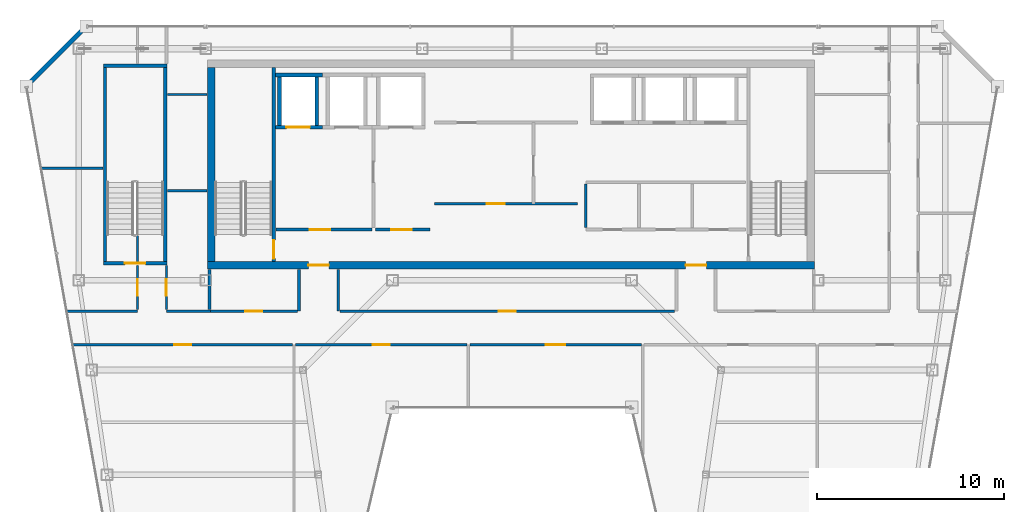
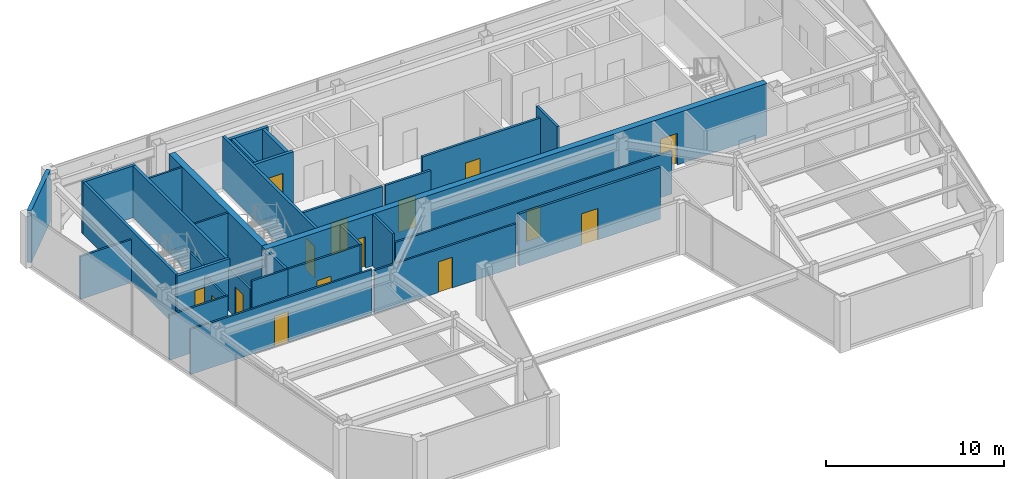
# One storey, part 27 of 32: 32 walls, 15 doors, 15 openings.
"""IFC4 building model written with IfcOpenShell, lengths in metres."""

from ifc_helpers import new_model, si_unit, direction, frame, frame_2d, origin, place, context, subcontext, project, spatial, rectangle, extrude, material, layer, layer_set, type_object, element, fill, save


model = new_model("IFC4")

# Units and contexts
model_context = context("Model", 3, precision=1e-05, world=origin(), true_north=direction((0.0, 1.0)))
body_context = subcontext(model_context, "Body", "Model", "MODEL_VIEW")
ifc_project = project(units=[si_unit("LENGTHUNIT", "METRE"), si_unit("AREAUNIT", "SQUARE_METRE"), si_unit("VOLUMEUNIT", "CUBIC_METRE"), si_unit("PLANEANGLEUNIT", "RADIAN"), si_unit("MASSUNIT", "GRAM", prefix="KILO")], contexts=[model_context])

# Site, building, storey
site_placement = place(None, origin())
site = spatial("IfcSite", under=ifc_project, at=site_placement, CompositionType="ELEMENT")
building_placement = place(site_placement, origin())
building = spatial("IfcBuilding", under=site, at=building_placement, Name="Saevonmaru Cultural Tower", CompositionType="ELEMENT")
storey_placement = place(building_placement, frame((0.0, 0.0, 268.60009765625)))
storey = spatial("IfcBuildingStorey", under=building, at=storey_placement, Name="L63", CompositionType="ELEMENT", Elevation=268.60009765625)

# Wall, openings, doors
ifc_material_1 = material(Name="Concrete C50/60", Category="concrete")
ifc_layer_1 = layer(ifc_material_1, 0.39990234375, Name="Concrete C50/60")
ifc_layer_set_1 = layer_set([ifc_layer_1], Name="Concrete C50/60")
wall_type_1 = type_object("IfcWallType", Name="WL-CORE-400", PredefinedType="SHEAR", material=ifc_layer_set_1)
wall_1_placement = place(storey_placement, frame((13.699951171875, 43.199951171875, 0.0), z_axis=(0.0, 0.0, 1.0), x_axis=(1.0, 0.0, 0.0)))
wall_1 = element("IfcWall", 1, at=wall_1_placement, inside=storey, type_object=wall_type_1, Name="L63 Tower RC core shear wall S", PredefinedType="SHEAR", context=body_context, shape_type="SweptSolid", body=[
    extrude(rectangle(XDim=32.5, YDim=0.39990234375, at=frame_2d((16.25, 0.0))), origin(), (0.0, 0.0, 1.0), 3.5498046875),
])
opening_1_placement = place(wall_1_placement, frame((5.39990234375, 0.0, 0.0)))
opening_1 = element("IfcOpeningElement", 2, at=opening_1_placement, cuts=wall_1, Name="Opening FD-2", PredefinedType="OPENING", context=body_context, shape_type="SweptSolid", body=[
    extrude(rectangle(XDim=1.10009765625, YDim=2.14990234375, at=frame_2d((0.550048828125, 1.074951171875))), frame((0.0, 0.2099609375, 0.0), z_axis=(0.0, -1.0, 0.0), x_axis=(1.0, 0.0, 0.0)), (0.0, 0.0, 1.0), 0.419921875),
])
opening_2_placement = place(wall_1_placement, frame((25.60009765625, 0.0, 0.0)))
opening_2 = element("IfcOpeningElement", 3, at=opening_2_placement, cuts=wall_1, Name="Opening FD-2", PredefinedType="OPENING", context=body_context, shape_type="SweptSolid", body=[
    extrude(rectangle(XDim=1.10009765625, YDim=2.14990234375, at=frame_2d((0.550048828125, 1.074951171875))), frame((0.0, 0.2099609375, 0.0), z_axis=(0.0, -1.0, 0.0), x_axis=(1.0, 0.0, 0.0)), (0.0, 0.0, 1.0), 0.419921875),
])
ifc_material_2 = material(Name="Satin Bronze Anodised Aluminium", Category="aluminium")
door_type_1 = type_object("IfcDoorType", Name="DR-FD60-1100", OperationType="SINGLE_SWING_LEFT", PredefinedType="DOOR", material=ifc_material_2)
door_1_placement = place(opening_1_placement, origin())
door_1 = element("IfcDoor", 4, at=door_1_placement, inside=storey, type_object=door_type_1, Name="L63 Core West Lobby Fire Door", OperationType="SINGLE_SWING_LEFT", OverallHeight=2.14990234375, OverallWidth=1.10009765625, PredefinedType="DOOR", context=body_context, shape_type="SweptSolid", body=[
    extrude(rectangle(XDim=1.10009765625, YDim=2.14990234375, at=frame_2d((0.550048828125, 1.074951171875))), frame((0.0, 0.02490234375, 0.0), z_axis=(0.0, -1.0, 0.0), x_axis=(1.0, 0.0, 0.0)), (0.0, 0.0, 1.0), 0.050048828125),
])
fill(opening_1, door_1)
door_2_placement = place(opening_2_placement, origin())
door_2 = element("IfcDoor", 5, at=door_2_placement, inside=storey, type_object=door_type_1, Name="L63 Core East Lobby Fire Door", OperationType="SINGLE_SWING_LEFT", OverallHeight=2.14990234375, OverallWidth=1.10009765625, PredefinedType="DOOR", context=body_context, shape_type="SweptSolid", body=[
    extrude(rectangle(XDim=1.10009765625, YDim=2.14990234375, at=frame_2d((0.550048828125, 1.074951171875))), frame((0.0, 0.02490234375, 0.0), z_axis=(0.0, -1.0, 0.0), x_axis=(1.0, 0.0, 0.0)), (0.0, 0.0, 1.0), 0.050048828125),
])
fill(opening_2, door_2)

# Wall
wall_2_placement = place(storey_placement, frame((13.89990234375, 43.39990234375, 0.0), z_axis=(0.0, 0.0, 1.0), x_axis=(0.0, 1.0, 0.0)))
element("IfcWall", 6, at=wall_2_placement, inside=storey, type_object=wall_type_1, Name="L63 Tower RC core shear wall W", PredefinedType="SHEAR", context=body_context, shape_type="SweptSolid", body=[
    extrude(rectangle(XDim=10.400146484375, YDim=0.39990234375, at=frame_2d((5.2001953125, 0.0))), origin(), (0.0, 0.0, 1.0), 3.5498046875),
])

# Wall, opening, door
ifc_material_3 = material(Name="Gypsum Fireboard Partition", Category="gypsum")
ifc_layer_2 = layer(ifc_material_3, 0.14990234375, Name="Gypsum Fireboard Partition")
ifc_layer_set_2 = layer_set([ifc_layer_2], Name="Gypsum Fireboard Partition")
wall_type_2 = type_object("IfcWallType", Name="WL-CORE-PART-150", PredefinedType="PARTITIONING", material=ifc_layer_set_2)
wall_3_placement = place(storey_placement, frame((17.360107421875, 45.1201171875, 0.0), z_axis=(0.0, 0.0, 1.0), x_axis=(1.0, 0.0, 0.0)))
wall_3 = element("IfcWall", 7, at=wall_3_placement, inside=storey, type_object=wall_type_2, Name="L63 Firefighting Lift Lobby South Wall", PredefinedType="PARTITIONING", context=body_context, shape_type="SweptSolid", body=[
    extrude(rectangle(XDim=5.139892578125, YDim=0.14990234375, at=frame_2d((2.56982421875, 0.0))), origin(), (0.0, 0.0, 1.0), 3.5498046875),
])
opening_3_placement = place(wall_3_placement, frame((1.800048828125, 0.0, 0.0)))
opening_3 = element("IfcOpeningElement", 8, at=opening_3_placement, cuts=wall_3, Name="Opening FD-2", PredefinedType="OPENING", context=body_context, shape_type="SweptSolid", body=[
    extrude(rectangle(XDim=1.10009765625, YDim=2.14990234375, at=frame_2d((0.550048828125, 1.074951171875))), frame((0.0, 0.0849609375, 0.0), z_axis=(0.0, -1.0, 0.0), x_axis=(1.0, 0.0, 0.0)), (0.0, 0.0, 1.0), 0.169921875),
])
door_3_placement = place(opening_3_placement, origin())
door_3 = element("IfcDoor", 9, at=door_3_placement, inside=storey, type_object=door_type_1, Name="L63 Firefighting Lift Lobby South Door", OperationType="SINGLE_SWING_LEFT", OverallHeight=2.14990234375, OverallWidth=1.10009765625, PredefinedType="DOOR", context=body_context, shape_type="SweptSolid", body=[
    extrude(rectangle(XDim=1.10009765625, YDim=2.14990234375, at=frame_2d((0.550048828125, 1.074951171875))), frame((0.0, 0.02490234375, 0.0), z_axis=(0.0, -1.0, 0.0), x_axis=(1.0, 0.0, 0.0)), (0.0, 0.0, 1.0), 0.050048828125),
])
fill(opening_3, door_3)

wall_4_placement = place(storey_placement, frame((22.679931640625, 45.1201171875, 0.0), z_axis=(0.0, 0.0, 1.0), x_axis=(1.0, 0.0, 0.0)))
wall_4 = element("IfcWall", 10, at=wall_4_placement, inside=storey, type_object=wall_type_2, Name="L63 Service Lift Vestibule Wall", PredefinedType="PARTITIONING", context=body_context, shape_type="SweptSolid", body=[
    extrude(rectangle(XDim=2.920166015625, YDim=0.14990234375, at=frame_2d((1.4599609375, 0.0))), origin(), (0.0, 0.0, 1.0), 3.5498046875),
])
opening_4_placement = place(wall_4_placement, frame((0.85009765625, 0.0, 0.0)))
opening_4 = element("IfcOpeningElement", 11, at=opening_4_placement, cuts=wall_4, Name="Opening FD-2", PredefinedType="OPENING", context=body_context, shape_type="SweptSolid", body=[
    extrude(rectangle(XDim=1.10009765625, YDim=2.14990234375, at=frame_2d((0.550048828125, 1.074951171875))), frame((0.0, 0.0849609375, 0.0), z_axis=(0.0, -1.0, 0.0), x_axis=(1.0, 0.0, 0.0)), (0.0, 0.0, 1.0), 0.169921875),
])
door_4_placement = place(opening_4_placement, origin())
door_4 = element("IfcDoor", 12, at=door_4_placement, inside=storey, type_object=door_type_1, Name="L63 Service Lift Vestibule Door", OperationType="SINGLE_SWING_LEFT", OverallHeight=2.14990234375, OverallWidth=1.10009765625, PredefinedType="DOOR", context=body_context, shape_type="SweptSolid", body=[
    extrude(rectangle(XDim=1.10009765625, YDim=2.14990234375, at=frame_2d((0.550048828125, 1.074951171875))), frame((0.0, 0.02490234375, 0.0), z_axis=(0.0, -1.0, 0.0), x_axis=(1.0, 0.0, 0.0)), (0.0, 0.0, 1.0), 0.050048828125),
])
fill(opening_4, door_4)

# Wall
wall_5_placement = place(storey_placement, frame((33.949951171875, 45.219970703125, 0.0), z_axis=(0.0, 0.0, 1.0), x_axis=(0.0, 1.0, 0.0)))
element("IfcWall", 13, at=wall_5_placement, inside=storey, type_object=wall_type_2, Name="L63 Core Utility West Wall", PredefinedType="PARTITIONING", context=body_context, shape_type="SweptSolid", body=[
    extrude(rectangle(XDim=2.330078125, YDim=0.14990234375, at=frame_2d((1.1650390625, 0.0))), origin(), (0.0, 0.0, 1.0), 3.5498046875),
])

# Wall, opening, door
wall_6_placement = place(storey_placement, frame((25.85009765625, 46.5, 0.0), z_axis=(0.0, 0.0, 1.0), x_axis=(1.0, 0.0, 0.0)))
wall_6 = element("IfcWall", 14, at=wall_6_placement, inside=storey, type_object=wall_type_2, Name="L63 Reclaimed Mid-Shaft Wall", PredefinedType="PARTITIONING", context=body_context, shape_type="SweptSolid", body=[
    extrude(rectangle(XDim=7.64990234375, YDim=0.14990234375, at=frame_2d((3.824951171875, 0.0))), origin(), (0.0, 0.0, 1.0), 3.5498046875),
])
opening_5_placement = place(wall_6_placement, frame((2.800048828125, 0.0, 0.0)))
opening_5 = element("IfcOpeningElement", 15, at=opening_5_placement, cuts=wall_6, Name="Opening FD-4", PredefinedType="OPENING", context=body_context, shape_type="SweptSolid", body=[
    extrude(rectangle(XDim=0.949951171875, YDim=2.14990234375, at=frame_2d((0.47509765625, 1.074951171875))), frame((0.0, 0.0849609375, 0.0), z_axis=(0.0, -1.0, 0.0), x_axis=(1.0, 0.0, 0.0)), (0.0, 0.0, 1.0), 0.169921875),
])
door_type_2 = type_object("IfcDoorType", Name="DR-FD60-950", OperationType="SINGLE_SWING_LEFT", PredefinedType="DOOR", material=ifc_material_2)
door_5_placement = place(opening_5_placement, origin())
door_5 = element("IfcDoor", 16, at=door_5_placement, inside=storey, type_object=door_type_2, Name="L63 Reclaimed Manuscript Storage Door", OperationType="SINGLE_SWING_LEFT", OverallHeight=2.14990234375, OverallWidth=0.949951171875, PredefinedType="DOOR", context=body_context, shape_type="SweptSolid", body=[
    extrude(rectangle(XDim=0.949951171875, YDim=2.14990234375, at=frame_2d((0.47509765625, 1.074951171875))), frame((0.0, 0.02490234375, 0.0), z_axis=(0.0, -1.0, 0.0), x_axis=(1.0, 0.0, 0.0)), (0.0, 0.0, 1.0), 0.050048828125),
])
fill(opening_5, door_5)

# Walls
ifc_material_4 = material(Name="Granite-Clad Precast Concrete C40/50", Category="masonry")
ifc_layer_3 = layer(ifc_material_4, 0.260009765625, Name="Granite-Clad Precast Concrete C40/50")
ifc_layer_set_3 = layer_set([ifc_layer_3], Name="Granite-Clad Precast Concrete C40/50")
wall_type_3 = type_object("IfcWallType", Name="WL-EXT-SPANDREL-260", PredefinedType="STANDARD", material=ifc_layer_set_3)
wall_7_placement = place(storey_placement, frame((7.0869140625, 55.886962890625, 0.0), z_axis=(0.0, 0.0, 1.0), x_axis=(-0.707106781187, -0.707106781187, 0.0)))
element("IfcWall", 17, at=wall_7_placement, inside=storey, type_object=wall_type_3, Name="L63 Chamfer Corner Spandrel Wall E11", PredefinedType="STANDARD", context=body_context, shape_type="SweptSolid", body=[
    extrude(rectangle(XDim=4.205810546875, YDim=0.260009765625, at=frame_2d((2.10302734375, 0.0))), origin(), (0.0, 0.0, 1.0), 3.5498046875),
])
ifc_layer_4 = layer(ifc_material_3, 0.14990234375, Name="Gypsum Fireboard Partition")
ifc_layer_set_4 = layer_set([ifc_layer_4], Name="Gypsum Fireboard Partition")
wall_type_4 = type_object("IfcWallType", Name="WL-PART-FIRE-150", PredefinedType="PARTITIONING", material=ifc_layer_set_4)
wall_8_placement = place(storey_placement, frame((13.800048828125, 40.830078125, 0.0), z_axis=(0.0, 0.0, 1.0), x_axis=(0.0, 1.0, 0.0)))
element("IfcWall", 18, at=wall_8_placement, inside=storey, type_object=wall_type_4, Name="L63 Core Portal Side Wall W0", PredefinedType="PARTITIONING", context=body_context, shape_type="SweptSolid", body=[
    extrude(rectangle(XDim=2.14990234375, YDim=0.14990234375, at=frame_2d((1.074951171875, 0.0))), origin(), (0.0, 0.0, 1.0), 3.5498046875),
])
for number, where, z_axis, x_axis, name in (
    (19, (18.60009765625, 40.75, 0.0), (0.0, 0.0, 1.0), (0.0, 1.0, 0.0), "L63 Core Portal Side Wall W1"),
    (20, (20.699951171875, 40.75, 0.0), (0.0, 0.0, 1.0), (0.0, 1.0, 0.0), "L63 Core Portal Side Wall W2"),
):
    element("IfcWall", number, at=place(storey_placement, frame(where, z_axis=z_axis, x_axis=x_axis)), inside=storey, type_object=wall_type_4, Name=name, PredefinedType="PARTITIONING", context=body_context, shape_type="SweptSolid", body=[
        extrude(rectangle(XDim=2.22998046875, YDim=0.14990234375, at=frame_2d((1.114990234375, 0.0))), origin(), (0.0, 0.0, 1.0), 3.5498046875),
    ])

# Wall, opening, door
wall_9_placement = place(storey_placement, frame((27.757568359375, 38.949951171875, 0.0), z_axis=(0.0, 0.0, 1.0), x_axis=(1.0, 0.0, 0.0)))
wall_9 = element("IfcWall", 21, at=wall_9_placement, inside=storey, type_object=wall_type_4, Name="L63 Sculpture Study Gallery Corridor Wall", PredefinedType="PARTITIONING", context=body_context, shape_type="SweptSolid", body=[
    extrude(rectangle(XDim=9.162353515625, YDim=0.14990234375, at=frame_2d((4.5810546875, 0.0))), origin(), (0.0, 0.0, 1.0), 3.5498046875),
])
opening_6_placement = place(wall_9_placement, frame((4.055908203125, 0.0, 0.0)))
opening_6 = element("IfcOpeningElement", 22, at=opening_6_placement, cuts=wall_9, Name="Opening ID-1", PredefinedType="OPENING", context=body_context, shape_type="SweptSolid", body=[
    extrude(rectangle(XDim=1.050048828125, YDim=2.14990234375, at=frame_2d((0.52490234375, 1.074951171875))), frame((0.0, 0.0849609375, 0.0), z_axis=(0.0, -1.0, 0.0), x_axis=(1.0, 0.0, 0.0)), (0.0, 0.0, 1.0), 0.169921875),
])
door_type_3 = type_object("IfcDoorType", Name="DR-INT-1050", OperationType="SINGLE_SWING_LEFT", PredefinedType="DOOR", material=ifc_material_2)
door_6_placement = place(opening_6_placement, origin())
door_6 = element("IfcDoor", 23, at=door_6_placement, inside=storey, type_object=door_type_3, Name="L63 Sculpture Study Gallery Door", OperationType="SINGLE_SWING_LEFT", OverallHeight=2.14990234375, OverallWidth=1.050048828125, PredefinedType="DOOR", context=body_context, shape_type="SweptSolid", body=[
    extrude(rectangle(XDim=1.050048828125, YDim=2.14990234375, at=frame_2d((0.52490234375, 1.074951171875))), frame((0.0, 0.02490234375, 0.0), z_axis=(0.0, -1.0, 0.0), x_axis=(1.0, 0.0, 0.0)), (0.0, 0.0, 1.0), 0.050048828125),
])
fill(opening_6, door_6)

# Walls
ifc_layer_5 = layer(ifc_material_3, 0.1201171875, Name="Gypsum Fireboard Partition")
ifc_layer_set_5 = layer_set([ifc_layer_5], Name="Gypsum Fireboard Partition")
wall_type_5 = type_object("IfcWallType", Name="WL-PART-GYP-120", PredefinedType="PARTITIONING", material=ifc_layer_set_5)
wall_10_placement = place(storey_placement, frame((6.161376953125, 40.75, 0.0), z_axis=(0.0, 0.0, 1.0), x_axis=(1.0, 0.0, 0.0)))
element("IfcWall", 24, at=wall_10_placement, inside=storey, type_object=wall_type_5, Name="L63 NW Wing South Wall", PredefinedType="PARTITIONING", context=body_context, shape_type="SweptSolid", body=[
    extrude(rectangle(XDim=3.78857421875, YDim=0.1201171875, at=frame_2d((1.894287109375, 0.0))), origin(), (0.0, 0.0, 1.0), 3.0849609375),
])
wall_11_placement = place(storey_placement, frame((11.5, 40.75, 0.0), z_axis=(0.0, 0.0, 1.0), x_axis=(1.0, 0.0, 0.0)))
element("IfcWall", 25, at=wall_11_placement, inside=storey, type_object=wall_type_5, Name="L63 NW Inner South Wall", PredefinedType="PARTITIONING", context=body_context, shape_type="SweptSolid", body=[
    extrude(rectangle(XDim=2.35009765625, YDim=0.1201171875, at=frame_2d((1.175048828125, 0.0))), origin(), (0.0, 0.0, 1.0), 3.5498046875),
])
wall_12_placement = place(storey_placement, frame((11.550048828125, 52.35009765625, 0.0), z_axis=(0.0, 0.0, 1.0), x_axis=(1.0, 0.0, 0.0)))
element("IfcWall", 26, at=wall_12_placement, inside=storey, type_object=wall_type_5, Name="L63 North-West Panorama South Wall", PredefinedType="PARTITIONING", context=body_context, shape_type="SweptSolid", body=[
    extrude(rectangle(XDim=2.1298828125, YDim=0.1201171875, at=frame_2d((1.06494140625, 0.0))), origin(), (0.0, 0.0, 1.0), 3.5498046875),
])
wall_13_placement = place(storey_placement, frame((4.79248046875, 48.39990234375, 0.0), z_axis=(0.0, 0.0, 1.0), x_axis=(1.0, 0.0, 0.0)))
element("IfcWall", 27, at=wall_13_placement, inside=storey, type_object=wall_type_5, Name="L63 NW Studio Divider 1", PredefinedType="PARTITIONING", context=body_context, shape_type="SweptSolid", body=[
    extrude(rectangle(XDim=3.3076171875, YDim=0.1201171875, at=frame_2d((1.65380859375, 0.0))), origin(), (0.0, 0.0, 1.0), 2.947021484375),
])

# Wall, opening, door
wall_14_placement = place(storey_placement, frame((9.949951171875, 40.830078125, 0.0), z_axis=(0.0, 0.0, 1.0), x_axis=(0.0, 1.0, 0.0)))
wall_14 = element("IfcWall", 28, at=wall_14_placement, inside=storey, type_object=wall_type_5, Name="L63 Visiting Fellows Office Corridor Wall", PredefinedType="PARTITIONING", context=body_context, shape_type="SweptSolid", body=[
    extrude(rectangle(XDim=2.369873046875, YDim=0.1201171875, at=frame_2d((1.18505859375, 0.0))), origin(), (0.0, 0.0, 1.0), 2.947021484375),
])
opening_7_placement = place(wall_14_placement, frame((0.735107421875, 0.0, 0.0)))
opening_7 = element("IfcOpeningElement", 29, at=opening_7_placement, cuts=wall_14, Name="Opening ID-2", PredefinedType="OPENING", context=body_context, shape_type="SweptSolid", body=[
    extrude(rectangle(XDim=0.89990234375, YDim=2.10009765625, at=frame_2d((0.449951171875, 1.050048828125))), frame((0.0, 0.070068359375, 0.0), z_axis=(0.0, -1.0, 0.0), x_axis=(1.0, 0.0, 0.0)), (0.0, 0.0, 1.0), 0.14013671875),
])
ifc_material_5 = material(Name="Acoustic Stained Oak Timber", Category="wood")
door_type_4 = type_object("IfcDoorType", Name="DR-INT-900", OperationType="SINGLE_SWING_RIGHT", PredefinedType="DOOR", material=ifc_material_5)
door_7_placement = place(opening_7_placement, origin())
door_7 = element("IfcDoor", 30, at=door_7_placement, inside=storey, type_object=door_type_4, Name="L63 Visiting Fellows Office Door", OperationType="SINGLE_SWING_LEFT", OverallHeight=2.10009765625, OverallWidth=0.89990234375, PredefinedType="DOOR", context=body_context, shape_type="SweptSolid", body=[
    extrude(rectangle(XDim=0.89990234375, YDim=2.10009765625, at=frame_2d((0.449951171875, 1.050048828125))), frame((0.0, 0.02490234375, 0.0), z_axis=(0.0, -1.0, 0.0), x_axis=(1.0, 0.0, 0.0)), (0.0, 0.0, 1.0), 0.050048828125),
])
fill(opening_7, door_7)

# Walls
wall_15_placement = place(storey_placement, frame((9.949951171875, 43.419921875, 0.0), z_axis=(0.0, 0.0, 1.0), x_axis=(0.0, 1.0, 0.0)))
element("IfcWall", 31, at=wall_15_placement, inside=storey, type_object=wall_type_5, Name="L63 Visiting Fellows Office Corridor Wall (2)", PredefinedType="PARTITIONING", context=body_context, shape_type="SweptSolid", body=[
    extrude(rectangle(XDim=1.4501953125, YDim=0.1201171875, at=frame_2d((0.72509765625, 0.0))), origin(), (0.0, 0.0, 1.0), 3.5498046875),
])
wall_16_placement = place(storey_placement, frame((11.550048828125, 47.199951171875, 0.0), z_axis=(0.0, 0.0, 1.0), x_axis=(1.0, 0.0, 0.0)))
element("IfcWall", 32, at=wall_16_placement, inside=storey, type_object=wall_type_5, Name="L63 NW Inner Divider", PredefinedType="PARTITIONING", context=body_context, shape_type="SweptSolid", body=[
    extrude(rectangle(XDim=2.1298828125, YDim=0.1201171875, at=frame_2d((1.06494140625, 0.0))), origin(), (0.0, 0.0, 1.0), 3.5498046875),
])

# Wall, opening, door
wall_17_placement = place(storey_placement, frame((11.5, 40.830078125, 0.0), z_axis=(0.0, 0.0, 1.0), x_axis=(0.0, 1.0, 0.0)))
wall_17 = element("IfcWall", 33, at=wall_17_placement, inside=storey, type_object=wall_type_5, Name="L63 Digital Humanities Office Corridor Wall", PredefinedType="PARTITIONING", context=body_context, shape_type="SweptSolid", body=[
    extrude(rectangle(XDim=2.369873046875, YDim=0.1201171875, at=frame_2d((1.18505859375, 0.0))), origin(), (0.0, 0.0, 1.0), 2.947021484375),
])
opening_8_placement = place(wall_17_placement, frame((0.735107421875, 0.0, 0.0)))
opening_8 = element("IfcOpeningElement", 34, at=opening_8_placement, cuts=wall_17, Name="Opening ID-2", PredefinedType="OPENING", context=body_context, shape_type="SweptSolid", body=[
    extrude(rectangle(XDim=0.89990234375, YDim=2.10009765625, at=frame_2d((0.449951171875, 1.050048828125))), frame((0.0, 0.070068359375, 0.0), z_axis=(0.0, -1.0, 0.0), x_axis=(1.0, 0.0, 0.0)), (0.0, 0.0, 1.0), 0.14013671875),
])
door_8_placement = place(opening_8_placement, origin())
door_8 = element("IfcDoor", 35, at=door_8_placement, inside=storey, type_object=door_type_4, Name="L63 Digital Humanities Office Door", OperationType="SINGLE_SWING_RIGHT", OverallHeight=2.10009765625, OverallWidth=0.89990234375, PredefinedType="DOOR", context=body_context, shape_type="SweptSolid", body=[
    extrude(rectangle(XDim=0.89990234375, YDim=2.10009765625, at=frame_2d((0.449951171875, 1.050048828125))), frame((0.0, 0.02490234375, 0.0), z_axis=(0.0, -1.0, 0.0), x_axis=(1.0, 0.0, 0.0)), (0.0, 0.0, 1.0), 0.050048828125),
])
fill(opening_8, door_8)

wall_18_placement = place(storey_placement, frame((13.85009765625, 40.75, 0.0), z_axis=(0.0, 0.0, 1.0), x_axis=(1.0, 0.0, 0.0)))
wall_18 = element("IfcWall", 36, at=wall_18_placement, inside=storey, type_object=wall_type_5, Name="L63 Visiting Fellows Office Corridor Wall", PredefinedType="PARTITIONING", context=body_context, shape_type="SweptSolid", body=[
    extrude(rectangle(XDim=4.65478515625, YDim=0.1201171875, at=frame_2d((2.327392578125, 0.0))), origin(), (0.0, 0.0, 1.0), 3.5498046875),
])
opening_9_placement = place(wall_18_placement, frame((1.876953125, 0.0, 0.0)))
opening_9 = element("IfcOpeningElement", 37, at=opening_9_placement, cuts=wall_18, Name="Opening ID-2", PredefinedType="OPENING", context=body_context, shape_type="SweptSolid", body=[
    extrude(rectangle(XDim=0.89990234375, YDim=2.10009765625, at=frame_2d((0.449951171875, 1.050048828125))), frame((0.0, 0.070068359375, 0.0), z_axis=(0.0, -1.0, 0.0), x_axis=(1.0, 0.0, 0.0)), (0.0, 0.0, 1.0), 0.14013671875),
])
door_9_placement = place(opening_9_placement, origin())
door_9 = element("IfcDoor", 38, at=door_9_placement, inside=storey, type_object=door_type_4, Name="L63 Visiting Fellows Office Door", OperationType="SINGLE_SWING_RIGHT", OverallHeight=2.10009765625, OverallWidth=0.89990234375, PredefinedType="DOOR", context=body_context, shape_type="SweptSolid", body=[
    extrude(rectangle(XDim=0.89990234375, YDim=2.10009765625, at=frame_2d((0.449951171875, 1.050048828125))), frame((0.0, 0.02490234375, 0.0), z_axis=(0.0, -1.0, 0.0), x_axis=(1.0, 0.0, 0.0)), (0.0, 0.0, 1.0), 0.050048828125),
])
fill(opening_9, door_9)

wall_19_placement = place(storey_placement, frame((20.794921875, 40.75, 0.0), z_axis=(0.0, 0.0, 1.0), x_axis=(1.0, 0.0, 0.0)))
wall_19 = element("IfcWall", 39, at=wall_19_placement, inside=storey, type_object=wall_type_5, Name="L63 Digital Humanities Office Corridor Wall", PredefinedType="PARTITIONING", context=body_context, shape_type="SweptSolid", body=[
    extrude(rectangle(XDim=17.91015625, YDim=0.1201171875, at=frame_2d((8.955078125, 0.0))), origin(), (0.0, 0.0, 1.0), 2.947021484375),
])
opening_10_placement = place(wall_19_placement, frame((8.5048828125, 0.0, 0.0)))
opening_10 = element("IfcOpeningElement", 40, at=opening_10_placement, cuts=wall_19, Name="Opening ID-2", PredefinedType="OPENING", context=body_context, shape_type="SweptSolid", body=[
    extrude(rectangle(XDim=0.89990234375, YDim=2.10009765625, at=frame_2d((0.449951171875, 1.050048828125))), frame((0.0, 0.070068359375, 0.0), z_axis=(0.0, -1.0, 0.0), x_axis=(1.0, 0.0, 0.0)), (0.0, 0.0, 1.0), 0.14013671875),
])
door_10_placement = place(opening_10_placement, origin())
door_10 = element("IfcDoor", 41, at=door_10_placement, inside=storey, type_object=door_type_4, Name="L63 Digital Humanities Office Door", OperationType="SINGLE_SWING_LEFT", OverallHeight=2.10009765625, OverallWidth=0.89990234375, PredefinedType="DOOR", context=body_context, shape_type="SweptSolid", body=[
    extrude(rectangle(XDim=0.89990234375, YDim=2.10009765625, at=frame_2d((0.449951171875, 1.050048828125))), frame((0.0, 0.02490234375, 0.0), z_axis=(0.0, -1.0, 0.0), x_axis=(1.0, 0.0, 0.0)), (0.0, 0.0, 1.0), 0.050048828125),
])
fill(opening_10, door_10)

wall_20_placement = place(storey_placement, frame((6.4833984375, 38.949951171875, 0.0), z_axis=(0.0, 0.0, 1.0), x_axis=(1.0, 0.0, 0.0)))
wall_20 = element("IfcWall", 42, at=wall_20_placement, inside=storey, type_object=wall_type_5, Name="L63 Visiting Fellows Office Corridor Wall", PredefinedType="PARTITIONING", context=body_context, shape_type="SweptSolid", body=[
    extrude(rectangle(XDim=11.7666015625, YDim=0.1201171875, at=frame_2d((5.88330078125, 0.0))), origin(), (0.0, 0.0, 1.0), 3.0849609375),
])
opening_11_placement = place(wall_20_placement, frame((5.43310546875, 0.0, 0.0)))
opening_11 = element("IfcOpeningElement", 43, at=opening_11_placement, cuts=wall_20, Name="Opening ID-2", PredefinedType="OPENING", context=body_context, shape_type="SweptSolid", body=[
    extrude(rectangle(XDim=0.89990234375, YDim=2.10009765625, at=frame_2d((0.449951171875, 1.050048828125))), frame((0.0, 0.070068359375, 0.0), z_axis=(0.0, -1.0, 0.0), x_axis=(1.0, 0.0, 0.0)), (0.0, 0.0, 1.0), 0.14013671875),
])
door_11_placement = place(opening_11_placement, origin())
door_11 = element("IfcDoor", 44, at=door_11_placement, inside=storey, type_object=door_type_4, Name="L63 Visiting Fellows Office Door", OperationType="SINGLE_SWING_LEFT", OverallHeight=2.10009765625, OverallWidth=0.89990234375, PredefinedType="DOOR", context=body_context, shape_type="SweptSolid", body=[
    extrude(rectangle(XDim=0.89990234375, YDim=2.10009765625, at=frame_2d((0.449951171875, 1.050048828125))), frame((0.0, 0.02490234375, 0.0), z_axis=(0.0, -1.0, 0.0), x_axis=(1.0, 0.0, 0.0)), (0.0, 0.0, 1.0), 0.050048828125),
])
fill(opening_11, door_11)

wall_21_placement = place(storey_placement, frame((18.409912109375, 38.949951171875, 0.0), z_axis=(0.0, 0.0, 1.0), x_axis=(1.0, 0.0, 0.0)))
wall_21 = element("IfcWall", 45, at=wall_21_placement, inside=storey, type_object=wall_type_5, Name="L63 Digital Humanities Office Corridor Wall", PredefinedType="PARTITIONING", context=body_context, shape_type="SweptSolid", body=[
    extrude(rectangle(XDim=9.172607421875, YDim=0.1201171875, at=frame_2d((4.58642578125, 0.0))), origin(), (0.0, 0.0, 1.0), 2.947021484375),
])
opening_12_placement = place(wall_21_placement, frame((4.135986328125, 0.0, 0.0)))
opening_12 = element("IfcOpeningElement", 46, at=opening_12_placement, cuts=wall_21, Name="Opening ID-2", PredefinedType="OPENING", context=body_context, shape_type="SweptSolid", body=[
    extrude(rectangle(XDim=0.89990234375, YDim=2.10009765625, at=frame_2d((0.449951171875, 1.050048828125))), frame((0.0, 0.070068359375, 0.0), z_axis=(0.0, -1.0, 0.0), x_axis=(1.0, 0.0, 0.0)), (0.0, 0.0, 1.0), 0.14013671875),
])
door_12_placement = place(opening_12_placement, origin())
door_12 = element("IfcDoor", 47, at=door_12_placement, inside=storey, type_object=door_type_4, Name="L63 Digital Humanities Office Door", OperationType="SINGLE_SWING_RIGHT", OverallHeight=2.10009765625, OverallWidth=0.89990234375, PredefinedType="DOOR", context=body_context, shape_type="SweptSolid", body=[
    extrude(rectangle(XDim=0.89990234375, YDim=2.10009765625, at=frame_2d((0.449951171875, 1.050048828125))), frame((0.0, 0.02490234375, 0.0), z_axis=(0.0, -1.0, 0.0), x_axis=(1.0, 0.0, 0.0)), (0.0, 0.0, 1.0), 0.050048828125),
])
fill(opening_12, door_12)

ifc_material_6 = material(Name="Concrete C40/50", Category="concrete")
ifc_layer_6 = layer(ifc_material_6, 0.199951171875, Name="Concrete C40/50")
ifc_layer_set_6 = layer_set([ifc_layer_6], Name="Concrete C40/50")
wall_type_6 = type_object("IfcWallType", Name="WL-SHAFT-200", PredefinedType="SHEAR", material=ifc_layer_set_6)
wall_22_placement = place(storey_placement, frame((17.330078125, 50.60009765625, 0.0), z_axis=(0.0, 0.0, 1.0), x_axis=(1.0, 0.0, 0.0)))
wall_22 = element("IfcWall", 48, at=wall_22_placement, inside=storey, type_object=wall_type_6, Name="L63 Lift FFL-1 Hoistway Wall S", PredefinedType="SHEAR", context=body_context, shape_type="SweptSolid", body=[
    extrude(rectangle(XDim=2.52001953125, YDim=0.199951171875, at=frame_2d((1.260009765625, 0.0))), origin(), (0.0, 0.0, 1.0), 3.5498046875),
])
opening_13_placement = place(wall_22_placement, frame((0.594970703125, 0.0, 0.0)))
opening_13 = element("IfcOpeningElement", 49, at=opening_13_placement, cuts=wall_22, Name="Opening LD-2", PredefinedType="OPENING", context=body_context, shape_type="SweptSolid", body=[
    extrude(rectangle(XDim=1.25, YDim=2.300048828125, at=frame_2d((0.625, 1.14990234375))), frame((0.0, 0.10986328125, 0.0), z_axis=(0.0, -1.0, 0.0), x_axis=(1.0, 0.0, 0.0)), (0.0, 0.0, 1.0), 0.219970703125),
])
ifc_material_7 = material(Name="Stainless Steel 316", Category="steel")
door_type_5 = type_object("IfcDoorType", Name="DR-LIFT-1250", OperationType="SLIDING_TO_LEFT", PredefinedType="DOOR", material=ifc_material_7)
door_13_placement = place(opening_13_placement, origin())
door_13 = element("IfcDoor", 50, at=door_13_placement, inside=storey, type_object=door_type_5, Name="L63 Lift FFL-1 Sliding Landing Door", OperationType="SLIDING_TO_LEFT", OverallHeight=2.300048828125, OverallWidth=1.25, PredefinedType="DOOR", context=body_context, shape_type="SweptSolid", body=[
    extrude(rectangle(XDim=1.25, YDim=2.300048828125, at=frame_2d((0.625, 1.14990234375))), frame((0.0, 0.02490234375, 0.0), z_axis=(0.0, -1.0, 0.0), x_axis=(1.0, 0.0, 0.0)), (0.0, 0.0, 1.0), 0.050048828125),
])
fill(opening_13, door_13)

# Walls
wall_23_placement = place(storey_placement, frame((17.330078125, 53.39990234375, 0.0), z_axis=(0.0, 0.0, 1.0), x_axis=(1.0, 0.0, 0.0)))
element("IfcWall", 51, at=wall_23_placement, inside=storey, type_object=wall_type_6, Name="L63 Lift FFL-1 Hoistway Wall N", PredefinedType="SHEAR", context=body_context, shape_type="SweptSolid", body=[
    extrude(rectangle(XDim=2.52001953125, YDim=0.199951171875, at=frame_2d((1.260009765625, 0.0))), origin(), (0.0, 0.0, 1.0), 3.5498046875),
])
for number, where, z_axis, x_axis, name in (
    (52, (17.550048828125, 50.699951171875, 0.0), (0.0, 0.0, 1.0), (0.0, 1.0, 0.0), "L63 Lift FFL-1 Hoistway Wall W"),
    (53, (19.550048828125, 50.699951171875, 0.0), (0.0, 0.0, 1.0), (0.0, 1.0, 0.0), "L63 Lift FFL-1 Hoistway Wall E"),
):
    element("IfcWall", number, at=place(storey_placement, frame(where, z_axis=z_axis, x_axis=x_axis)), inside=storey, type_object=wall_type_6, Name=name, PredefinedType="SHEAR", context=body_context, shape_type="SweptSolid", body=[
        extrude(rectangle(XDim=2.60009765625, YDim=0.199951171875, at=frame_2d((1.300048828125, 0.0))), origin(), (0.0, 0.0, 1.0), 3.5498046875),
    ])

# Wall, opening, door
ifc_layer_7 = layer(ifc_material_6, 0.179931640625, Name="Concrete C40/50")
ifc_layer_set_7 = layer_set([ifc_layer_7], Name="Concrete C40/50")
wall_type_7 = type_object("IfcWallType", Name="WL-STSHAFT-180", PredefinedType="SHEAR", material=ifc_layer_set_7)
wall_24_placement = place(storey_placement, frame((17.239990234375, 43.39990234375, 0.0), z_axis=(0.0, 0.0, 1.0), x_axis=(0.0, 1.0, 0.0)))
wall_24 = element("IfcWall", 54, at=wall_24_placement, inside=storey, type_object=wall_type_7, Name="L63 Stair ST-1 Structural Shaft Wall 1", PredefinedType="SHEAR", context=body_context, shape_type="SweptSolid", body=[
    extrude(rectangle(XDim=10.400146484375, YDim=0.179931640625, at=frame_2d((5.2001953125, 0.0))), origin(), (0.0, 0.0, 1.0), 3.5498046875),
])
opening_14_placement = place(wall_24_placement, frame((0.159912109375, 0.0, 0.0)))
opening_14 = element("IfcOpeningElement", 55, at=opening_14_placement, cuts=wall_24, Name="Opening FD-3", PredefinedType="OPENING", context=body_context, shape_type="SweptSolid", body=[
    extrude(rectangle(XDim=1.0, YDim=2.14990234375, at=frame_2d((0.5, 1.074951171875))), frame((0.0, 0.10009765625, 0.0), z_axis=(0.0, -1.0, 0.0), x_axis=(1.0, 0.0, 0.0)), (0.0, 0.0, 1.0), 0.199951171875),
])
door_type_6 = type_object("IfcDoorType", Name="DR-FD60-1000", OperationType="SINGLE_SWING_RIGHT", PredefinedType="DOOR", material=ifc_material_2)
door_14_placement = place(opening_14_placement, origin())
door_14 = element("IfcDoor", 56, at=door_14_placement, inside=storey, type_object=door_type_6, Name="L63 Protected Stair ST-1 Fire Door", OperationType="SINGLE_SWING_RIGHT", OverallHeight=2.14990234375, OverallWidth=1.0, PredefinedType="DOOR", context=body_context, shape_type="SweptSolid", body=[
    extrude(rectangle(XDim=1.0, YDim=2.14990234375, at=frame_2d((0.5, 1.074951171875))), frame((0.0, 0.02490234375, 0.0), z_axis=(0.0, -1.0, 0.0), x_axis=(1.0, 0.0, 0.0)), (0.0, 0.0, 1.0), 0.050048828125),
])
fill(opening_14, door_14)

wall_25_placement = place(storey_placement, frame((8.1201171875, 43.31005859375, 0.0), z_axis=(0.0, 0.0, 1.0), x_axis=(1.0, 0.0, 0.0)))
wall_25 = element("IfcWall", 57, at=wall_25_placement, inside=storey, type_object=wall_type_7, Name="L63 Stair ST-3 Structural Shaft Wall 1", PredefinedType="SHEAR", context=body_context, shape_type="SweptSolid", body=[
    extrude(rectangle(XDim=3.409912109375, YDim=0.179931640625, at=frame_2d((1.705078125, 0.0))), origin(), (0.0, 0.0, 1.0), 3.5498046875),
])
opening_15_placement = place(wall_25_placement, frame((1.14990234375, 0.0, 0.0)))
opening_15 = element("IfcOpeningElement", 58, at=opening_15_placement, cuts=wall_25, Name="Opening FD-2", PredefinedType="OPENING", context=body_context, shape_type="SweptSolid", body=[
    extrude(rectangle(XDim=1.10009765625, YDim=2.14990234375, at=frame_2d((0.550048828125, 1.074951171875))), frame((0.0, 0.10009765625, 0.0), z_axis=(0.0, -1.0, 0.0), x_axis=(1.0, 0.0, 0.0)), (0.0, 0.0, 1.0), 0.199951171875),
])
door_15_placement = place(opening_15_placement, origin())
door_15 = element("IfcDoor", 59, at=door_15_placement, inside=storey, type_object=door_type_1, Name="L63 Protected Stair ST-3 Fire Door", OperationType="SINGLE_SWING_LEFT", OverallHeight=2.14990234375, OverallWidth=1.10009765625, PredefinedType="DOOR", context=body_context, shape_type="SweptSolid", body=[
    extrude(rectangle(XDim=1.10009765625, YDim=2.14990234375, at=frame_2d((0.550048828125, 1.074951171875))), frame((0.0, 0.02490234375, 0.0), z_axis=(0.0, -1.0, 0.0), x_axis=(1.0, 0.0, 0.0)), (0.0, 0.0, 1.0), 0.050048828125),
])
fill(opening_15, door_15)

# Walls
wall_26_placement = place(storey_placement, frame((11.43994140625, 43.39990234375, 0.0), z_axis=(0.0, 0.0, 1.0), x_axis=(0.0, 1.0, 0.0)))
element("IfcWall", 60, at=wall_26_placement, inside=storey, type_object=wall_type_7, Name="L63 Stair ST-3 Structural Shaft Wall 2", PredefinedType="SHEAR", context=body_context, shape_type="SweptSolid", body=[
    extrude(rectangle(XDim=10.400146484375, YDim=0.179931640625, at=frame_2d((5.2001953125, 0.0))), origin(), (0.0, 0.0, 1.0), 3.5498046875),
])
wall_27_placement = place(storey_placement, frame((11.530029296875, 53.889892578125, 0.0), z_axis=(0.0, 0.0, 1.0), x_axis=(-1.0, 0.0, 0.0)))
element("IfcWall", 61, at=wall_27_placement, inside=storey, type_object=wall_type_7, Name="L63 Stair ST-3 Structural Shaft Wall 3", PredefinedType="SHEAR", context=body_context, shape_type="SweptSolid", body=[
    extrude(rectangle(XDim=3.409912109375, YDim=0.179931640625, at=frame_2d((1.705078125, 0.0))), origin(), (0.0, 0.0, 1.0), 3.5498046875),
])
wall_28_placement = place(storey_placement, frame((8.2099609375, 53.800048828125, 0.0), z_axis=(0.0, 0.0, 1.0), x_axis=(0.0, -1.0, 0.0)))
element("IfcWall", 62, at=wall_28_placement, inside=storey, type_object=wall_type_7, Name="L63 Stair ST-3 Structural Shaft Wall 4", PredefinedType="SHEAR", context=body_context, shape_type="SweptSolid", body=[
    extrude(rectangle(XDim=10.400146484375, YDim=0.179931640625, at=frame_2d((5.2001953125, 0.0))), origin(), (0.0, 0.0, 1.0), 3.5498046875),
])

save(model, "model.ifc")
